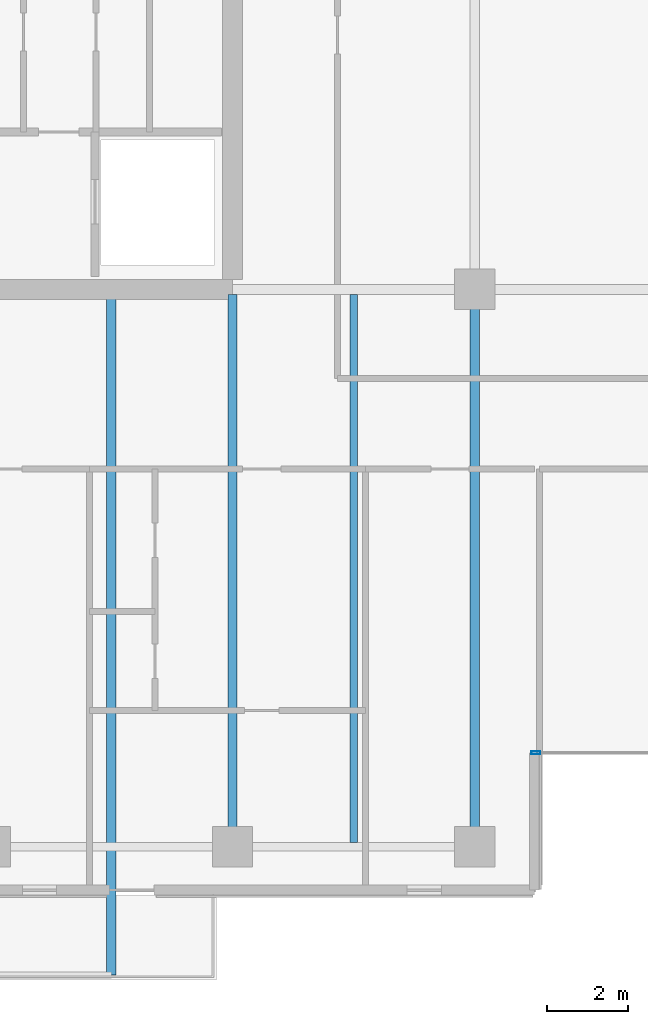
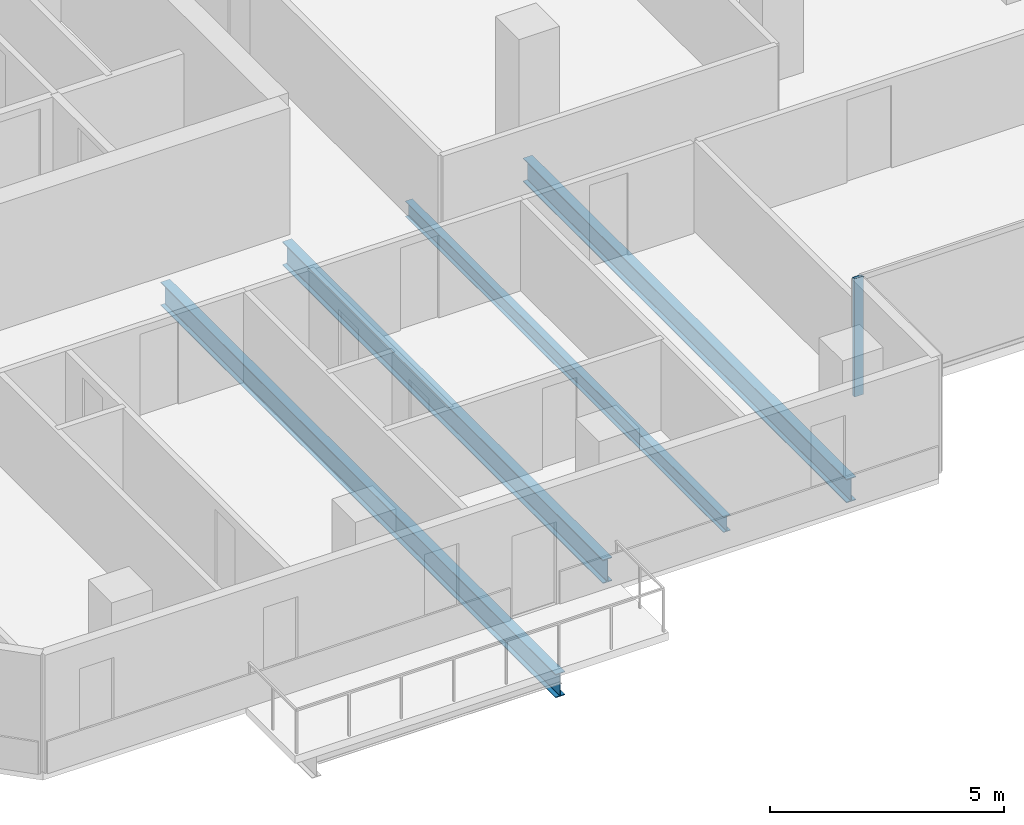
# One storey, part 2 of 23: 4 beams, 1 member, 1 element without a shape of its own.
"""IFC4 building model written with IfcOpenShell, lengths in metres."""

import ifcopenshell
import ifcopenshell.guid

model = None  # the IFC model being written
_history = None  # IfcOwnerHistory: only IFC2X3 demands one
_inside = {}  # id of a spatial element -> (the spatial element, [elements in it])
_under = {}  # id of a project, library or spatial element -> (it, [spatial elements below it])
_declared = {}  # id of a project -> (the project, [libraries it declares])
_typed = {}  # id of a type object -> (the type object, [elements of that type])
_made_of = {}  # id of a material, layer set ... -> (it, [elements and type objects made of it])


def new_model(schema):
    """Start an empty IFC model of exactly this schema.

    Asked for "IFC4X3", IfcOpenShell would pick the latest addendum, in which some entities
    have other attributes; the version numbers below select the first issue.
    IFC2X3 requires an IfcOwnerHistory on every rooted entity: one is made here for all.
    """
    global model, _history
    if schema == "IFC4X3":
        model = ifcopenshell.file(schema_version=(4, 3, 0, 0))
    else:
        model = ifcopenshell.file(schema=schema)
    _inside.clear()
    _under.clear()
    _declared.clear()
    _typed.clear()
    _made_of.clear()
    _history = None
    if model.schema == "IFC2X3":
        org = make("IfcOrganization", Name="unknown")
        user = make(
            "IfcPersonAndOrganization",
            ThePerson=make("IfcPerson", FamilyName="unknown"),
            TheOrganization=org,
        )
        app = make(
            "IfcApplication",
            ApplicationDeveloper=org,
            Version="unknown",
            ApplicationFullName="unknown",
            ApplicationIdentifier="unknown",
        )
        _history = make(
            "IfcOwnerHistory",
            OwningUser=user,
            OwningApplication=app,
            ChangeAction="ADDED",
            CreationDate=0,
        )
    return model


def make(cls, **values):
    """One entity of the class cls with the attributes given. An attribute that is None is left unset."""
    return model.create_entity(
        cls, **{name: value for name, value in values.items() if value is not None}
    )


def rooted(cls, **values):
    """An entity with a GlobalId (a new one), such as an element, a storey or a relation."""
    return make(cls, GlobalId=ifcopenshell.guid.new(), OwnerHistory=_history, **values)


def si_unit(unit_type, name, prefix=None):
    """IfcSIUnit, for example si_unit("LENGTHUNIT", "METRE", prefix="MILLI")."""
    return make("IfcSIUnit", UnitType=unit_type, Prefix=prefix, Name=name)


def assignment(units):
    """IfcUnitAssignment: the units of a project."""
    return None if units is None else make("IfcUnitAssignment", Units=units)


def point(xyz):
    """IfcCartesianPoint."""
    return None if xyz is None else make("IfcCartesianPoint", Coordinates=xyz)


def direction(xyz):
    """IfcDirection."""
    return None if xyz is None else make("IfcDirection", DirectionRatios=xyz)


def frame(location, z_axis=None, x_axis=None):
    """IfcAxis2Placement3D, a coordinate frame: its origin and axes. An axis left out is left unset."""
    return make(
        "IfcAxis2Placement3D",
        Location=point(location),
        Axis=direction(z_axis),
        RefDirection=direction(x_axis),
    )


def frame_2d(location, x_axis=None):
    """IfcAxis2Placement2D, a coordinate frame in the plane: its origin and x axis."""
    return make(
        "IfcAxis2Placement2D", Location=point(location), RefDirection=direction(x_axis)
    )


def origin():
    """The frame at (0, 0, 0) with its axes left unset."""
    return frame((0.0, 0.0, 0.0))


def origin_2d():
    """The frame at (0, 0) in the plane with its x axis left unset."""
    return frame_2d((0.0, 0.0))


def place(relative_to, where):
    """IfcLocalPlacement: puts the frame where relative to a parent placement (None: the world)."""
    return make(
        "IfcLocalPlacement", PlacementRelTo=relative_to, RelativePlacement=where
    )


def context(
    kind, dimensions, precision=None, world=None, true_north=None, identifier=None
):
    """IfcGeometricRepresentationContext, for example the 3D "Model" context."""
    return make(
        "IfcGeometricRepresentationContext",
        ContextIdentifier=identifier,
        ContextType=kind,
        CoordinateSpaceDimension=dimensions,
        Precision=precision,
        WorldCoordinateSystem=world,
        TrueNorth=true_north,
    )


def subcontext(parent, identifier, kind, view, scale=None):
    """IfcGeometricRepresentationSubContext, for example "Body" below "Model"."""
    return make(
        "IfcGeometricRepresentationSubContext",
        ContextIdentifier=identifier,
        ContextType=kind,
        ParentContext=parent,
        TargetScale=scale,
        TargetView=view,
    )


def project(units=None, contexts=None):
    """IfcProject with its units and contexts."""
    return rooted(
        "IfcProject",
        Name="project",
        RepresentationContexts=contexts,
        UnitsInContext=assignment(units),
    )


def spatial(cls, under=None, at=None, **own):
    """A site, building, storey or space (cls), placed at a placement, below another one or the project."""
    s = rooted(cls, ObjectPlacement=at, **own)
    if under is not None:
        _under.setdefault(under.id(), (under, []))[1].append(s)
    return s


def profile(cls, at=None, kind="AREA", **sizes):
    """A parametric profile (cls). Its sizes go by their IFC names, for example OverallWidth=200.0."""
    return make(cls, ProfileType=kind, Position=at, **sizes)


def hollow_rectangle(**sizes):
    """IfcRectangleHollowProfileDef."""
    return profile("IfcRectangleHollowProfileDef", **sizes)


def i_section(**sizes):
    """IfcIShapeProfileDef."""
    return profile("IfcIShapeProfileDef", **sizes)


def extrude(swept, where, along, depth):
    """IfcExtrudedAreaSolid: the profile swept, set in the frame where, extruded along a direction by depth."""
    return make(
        "IfcExtrudedAreaSolid",
        SweptArea=swept,
        Position=where,
        ExtrudedDirection=direction(along),
        Depth=depth,
    )


def shape(context_of_items, identifier, shape_type, items):
    """IfcShapeRepresentation: the items that make up one representation, for example the "Body"."""
    return make(
        "IfcShapeRepresentation",
        ContextOfItems=context_of_items,
        RepresentationIdentifier=identifier,
        RepresentationType=shape_type,
        Items=items,
    )


def material(Name=None, Category=None):
    """IfcMaterial."""
    return make("IfcMaterial", Name=Name, Category=Category)


def layer(
    of_material, thickness, ventilated=None, Name=None, Category=None, Priority=None
):
    """IfcMaterialLayer: one layer of a wall or slab, of a material (None: an air gap)."""
    return make(
        "IfcMaterialLayer",
        Material=of_material,
        LayerThickness=thickness,
        IsVentilated=ventilated,
        Name=Name,
        Category=Category,
        Priority=Priority,
    )


def layer_set(layers, Name=None):
    """IfcMaterialLayerSet."""
    return make("IfcMaterialLayerSet", MaterialLayers=layers, LayerSetName=Name)


def material_profile(
    of_material, cross_section, Name=None, Category=None, Priority=None
):
    """IfcMaterialProfile: a cross section and its material."""
    return make(
        "IfcMaterialProfile",
        Name=Name,
        Material=of_material,
        Profile=cross_section,
        Priority=Priority,
        Category=Category,
    )


def profile_set(profiles, Name=None, composite=None):
    """IfcMaterialProfileSet."""
    return make(
        "IfcMaterialProfileSet",
        Name=Name,
        MaterialProfiles=profiles,
        CompositeProfile=composite,
    )


def made_of(thing, what):
    """Note that an element or type object is made of a material, layer set ...; save() writes the relation."""
    if what is not None:
        _made_of.setdefault(what.id(), (what, []))[1].append(thing)
    return thing


def type_object(cls, material=None, **own):
    """A type object (cls), such as IfcWallType, which elements share."""
    return made_of(rooted(cls, **own), material)


def element(
    cls,
    number,
    at=None,
    inside=None,
    cuts=None,
    type_object=None,
    material=None,
    context=None,
    identifier="Body",
    shape_type=None,
    held_by="IfcProductDefinitionShape",
    body=None,
    shapes=None,
    **own,
):
    """One element of the class cls, such as IfcWall. Its Tag is "e" and its number.

    at: its placement. inside: the storey or other place that contains it. cuts: it is an
    opening in that element (IfcRelVoidsElement). A single representation is given by context,
    identifier, shape_type and body (its items); several are given by shapes. held_by: the class
    of the entity that holds the representations. save() writes the other relations.
    """
    e = rooted(cls, Tag="e%d" % number, ObjectPlacement=at, **own)
    if body is not None:
        shapes = [shape(context, identifier, shape_type, body)]
    if shapes is not None:
        e.Representation = make(held_by, Representations=shapes)
    if inside is not None:
        _inside.setdefault(inside.id(), (inside, []))[1].append(e)
    if cuts is not None:
        rooted(
            "IfcRelVoidsElement", RelatingBuildingElement=cuts, RelatedOpeningElement=e
        )
    if type_object is not None:
        _typed.setdefault(type_object.id(), (type_object, []))[1].append(e)
    return made_of(e, material)


def aggregate(whole, parts):
    """IfcRelAggregates: a whole, such as a stair, and the parts it consists of."""
    return rooted("IfcRelAggregates", RelatingObject=whole, RelatedObjects=parts)


def save(model, path):
    """Write the relations noted so far, then the file.

    IfcRelAggregates (storeys below a building ...), IfcRelContainedInSpatialStructure (elements
    in a storey), IfcRelDefinesByType, IfcRelAssociatesMaterial and IfcRelDeclares: one each for
    every whole, place, type object, material and project.
    """
    for whole, parts in _under.values():
        aggregate(whole, parts)
    for where, things in _inside.values():
        rooted(
            "IfcRelContainedInSpatialStructure",
            RelatedElements=things,
            RelatingStructure=where,
        )
    for kind, things in _typed.values():
        rooted("IfcRelDefinesByType", RelatedObjects=things, RelatingType=kind)
    for what, things in _made_of.values():
        rooted("IfcRelAssociatesMaterial", RelatedObjects=things, RelatingMaterial=what)
    for by, libraries in _declared.values():
        rooted("IfcRelDeclares", RelatingContext=by, RelatedDefinitions=libraries)
    model.write(path)


model = new_model("IFC4")

# Units and contexts
model_context = context("Model", 3, precision=1e-05, world=origin(), true_north=direction((0.0, 1.0)))
body_context = subcontext(model_context, "Body", "Model", "MODEL_VIEW")
ifc_project = project(units=[si_unit("LENGTHUNIT", "METRE"), si_unit("AREAUNIT", "SQUARE_METRE"), si_unit("VOLUMEUNIT", "CUBIC_METRE"), si_unit("PLANEANGLEUNIT", "RADIAN"), si_unit("MASSUNIT", "GRAM", prefix="KILO")], contexts=[model_context])

# Site, building, storey
site_placement = place(None, origin())
site = spatial("IfcSite", under=ifc_project, at=site_placement, CompositionType="ELEMENT")
building_placement = place(site_placement, origin())
building = spatial("IfcBuilding", under=site, at=building_placement, Name="Tanjung Sevakor Pilgrim Tower", CompositionType="ELEMENT")
storey_placement = place(building_placement, frame((0.0, 0.0, 85.469970703125)))
storey = spatial("IfcBuildingStorey", under=building, at=storey_placement, Name="L23", CompositionType="ELEMENT", Elevation=85.469970703125)

# Beams
ifc_material_1 = material(Name="Steel S355J2", Category="steel")
ifc_material_profile_1 = material_profile(ifc_material_1, i_section(OverallWidth=0.230224609375, OverallDepth=0.6171875, WebThickness=0.01318359375, FlangeThickness=0.022216796875, FilletRadius=0.0126953125, at=origin_2d()))
ifc_profile_set_1 = profile_set([ifc_material_profile_1], Name="Steel S355J2")
beam_type_1 = type_object("IfcBeamType", Name="BM-B-G3-UB_610x229x140", PredefinedType="BEAM", material=ifc_profile_set_1)
beam_1_placement = place(storey_placement, frame((36.0, 10.800048828125, -0.528564453125), z_axis=(0.0, 1.0, 0.0), x_axis=(-1.0, 0.0, 0.0)))
element("IfcBeam", 1, at=beam_1_placement, inside=storey, type_object=beam_type_1, Name="L23 MAIN Girder 005", PredefinedType="BEAM", context=body_context, shape_type="SweptSolid", body=[
    extrude(i_section(OverallWidth=0.230224609375, OverallDepth=0.6171875, WebThickness=0.01318359375, FlangeThickness=0.022216796875, FilletRadius=0.0126953125, at=origin_2d()), origin(), (0.0, 0.0, 1.0), 13.672607421875),
])
beam_2_placement = place(storey_placement, frame((42.0, 10.800048828125, -0.528564453125), z_axis=(0.0, 1.0, 0.0), x_axis=(-1.0, 0.0, 0.0)))
element("IfcBeam", 2, at=beam_2_placement, inside=storey, type_object=beam_type_1, Name="L23 MAIN Girder 009", PredefinedType="BEAM", context=body_context, shape_type="SweptSolid", body=[
    extrude(i_section(OverallWidth=0.230224609375, OverallDepth=0.6171875, WebThickness=0.01318359375, FlangeThickness=0.022216796875, FilletRadius=0.0126953125, at=origin_2d()), origin(), (0.0, 0.0, 1.0), 13.800048828125),
])
ifc_material_2 = material(Name="Steel S355J2", Category="steel")
ifc_material_profile_2 = material_profile(ifc_material_2, i_section(OverallWidth=0.22900390625, OverallDepth=0.6123046875, WebThickness=0.011962890625, FlangeThickness=0.01953125, FilletRadius=0.0126953125, at=origin_2d()))
ifc_profile_set_2 = profile_set([ifc_material_profile_2], Name="Steel S355J2")
beam_type_2 = type_object("IfcBeamType", Name="BM-B-G4-UB_610x229x125", PredefinedType="BEAM", material=ifc_profile_set_2)
beam_3_placement = place(storey_placement, frame((33.0, 24.47265625, -0.526123046875), z_axis=(0.0, -1.0, 0.0), x_axis=(1.0, 0.0, 0.0)))
element("IfcBeam", 3, at=beam_3_placement, inside=storey, type_object=beam_type_2, Name="L23 Balcony Cantilever Beam MAIN-S1-2", PredefinedType="BEAM", context=body_context, shape_type="SweptSolid", body=[
    extrude(i_section(OverallWidth=0.22900390625, OverallDepth=0.6123046875, WebThickness=0.011962890625, FlangeThickness=0.01953125, FilletRadius=0.0126953125, at=origin_2d()), origin(), (0.0, 0.0, 1.0), 16.8525390625),
])
ifc_material_3 = material(Name="Steel S355J2", Category="steel")
ifc_material_profile_3 = material_profile(ifc_material_3, i_section(OverallWidth=0.1787109375, OverallDepth=0.409423828125, WebThickness=0.0087890625, FlangeThickness=0.014404296875, FilletRadius=0.01025390625, at=origin_2d()))
ifc_profile_set_3 = profile_set([ifc_material_profile_3], Name="Steel S355J2")
beam_type_3 = type_object("IfcBeamType", Name="BM-B-J3-UB_406x178x67", PredefinedType="JOIST", material=ifc_profile_set_3)
beam_4_placement = place(storey_placement, frame((39.0, 10.89990234375, -0.424560546875), z_axis=(0.0, 1.0, 0.0), x_axis=(-1.0, 0.0, 0.0)))
element("IfcBeam", 4, at=beam_4_placement, inside=storey, type_object=beam_type_3, Name="L23 MAIN Joist 007", PredefinedType="JOIST", context=body_context, shape_type="SweptSolid", body=[
    extrude(i_section(OverallWidth=0.1787109375, OverallDepth=0.409423828125, WebThickness=0.0087890625, FlangeThickness=0.014404296875, FilletRadius=0.01025390625, at=origin_2d()), origin(), (0.0, 0.0, 1.0), 13.57275390625),
])

# Curtain wall, member
ifc_material_4 = material(Name="Aluminium 6063-T6 and Low-E Glass", Category="aluminium")
ifc_layer = layer(ifc_material_4, 0.179931640625)
ifc_layer_set = layer_set([ifc_layer], Name="CW-SYS-CLEFT")
curtain_wall_type = type_object("IfcCurtainWallType", Name="CW-SYS-CLEFT", PredefinedType="NOTDEFINED", material=ifc_layer_set)
curtain_wall_placement = place(storey_placement, origin())
curtain_wall = element("IfcCurtainWall", 5, at=curtain_wall_placement, inside=storey, type_object=curtain_wall_type, Name="L23 Curtain Wall CW-CLF-L23-2", PredefinedType="NOTDEFINED")
ifc_material_5 = material(Name="Aluminium 6063-T6", Category="aluminium")
ifc_material_profile_4 = material_profile(ifc_material_5, hollow_rectangle(XDim=0.074951171875, YDim=0.219970703125, WallThickness=0.0048828125, at=origin_2d()))
ifc_profile_set_4 = profile_set([ifc_material_profile_4], Name="Aluminium 6063-T6")
member_type = type_object("IfcMemberType", Name="TYPE-CWM-2", PredefinedType="MULLION", material=ifc_profile_set_4)
member_placement = place(storey_placement, frame((43.512451171875, 13.125, 0.0), z_axis=(0.0, 0.0, 1.0), x_axis=(0.0, 1.0, 0.0)))
member = element("IfcMember", 6, at=member_placement, type_object=member_type, Name="CW-CLF mullion 1", PredefinedType="MULLION", context=body_context, shape_type="SweptSolid", body=[
    extrude(hollow_rectangle(XDim=0.074951171875, YDim=0.219970703125, WallThickness=0.0048828125, at=origin_2d()), origin(), (0.0, 0.0, 1.0), 3.080078125),
])
aggregate(curtain_wall, [member])

save(model, "model.ifc")
